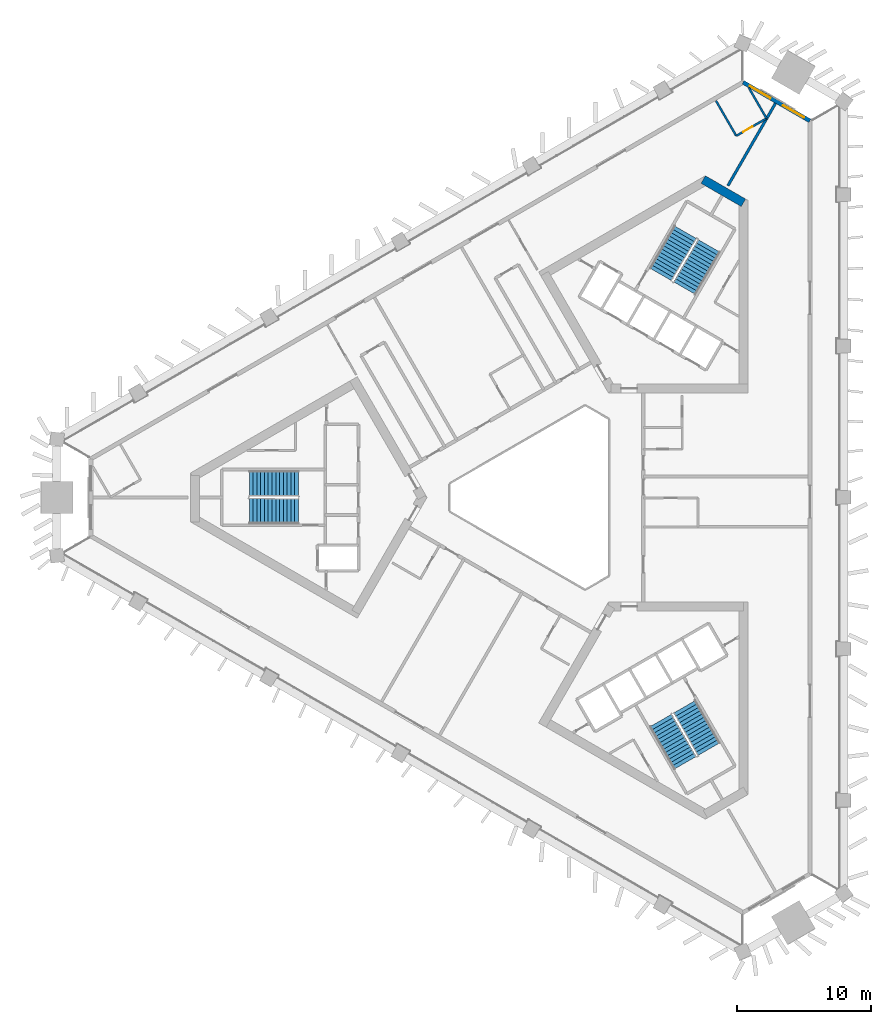
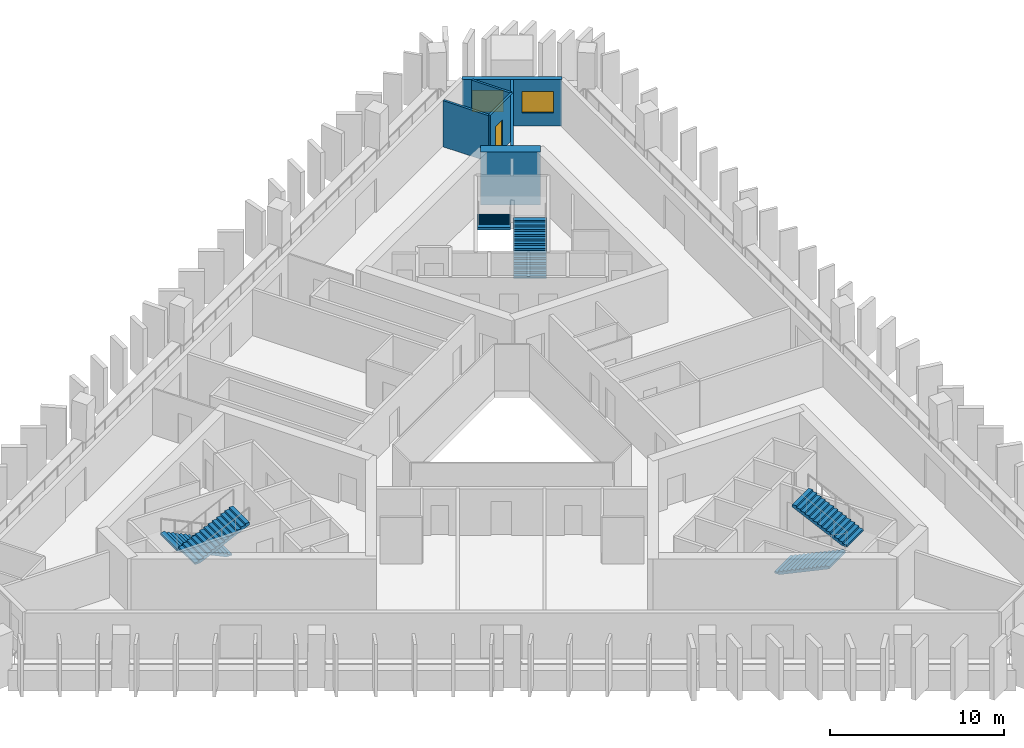
# One storey, part 6 of 9: 6 stair flights, 6 walls, 2 windows, 1 door, 3 openings, 3 elements without a shape of their own.
"""IFC4 building model written with IfcOpenShell, lengths in metres."""

import ifcopenshell
import ifcopenshell.guid

model = None  # the IFC model being written
_history = None  # IfcOwnerHistory: only IFC2X3 demands one
_inside = {}  # id of a spatial element -> (the spatial element, [elements in it])
_under = {}  # id of a project, library or spatial element -> (it, [spatial elements below it])
_declared = {}  # id of a project -> (the project, [libraries it declares])
_typed = {}  # id of a type object -> (the type object, [elements of that type])
_made_of = {}  # id of a material, layer set ... -> (it, [elements and type objects made of it])


def new_model(schema):
    """Start an empty IFC model of exactly this schema.

    Asked for "IFC4X3", IfcOpenShell would pick the latest addendum, in which some entities
    have other attributes; the version numbers below select the first issue.
    IFC2X3 requires an IfcOwnerHistory on every rooted entity: one is made here for all.
    """
    global model, _history
    if schema == "IFC4X3":
        model = ifcopenshell.file(schema_version=(4, 3, 0, 0))
    else:
        model = ifcopenshell.file(schema=schema)
    _inside.clear()
    _under.clear()
    _declared.clear()
    _typed.clear()
    _made_of.clear()
    _history = None
    if model.schema == "IFC2X3":
        org = make("IfcOrganization", Name="unknown")
        user = make(
            "IfcPersonAndOrganization",
            ThePerson=make("IfcPerson", FamilyName="unknown"),
            TheOrganization=org,
        )
        app = make(
            "IfcApplication",
            ApplicationDeveloper=org,
            Version="unknown",
            ApplicationFullName="unknown",
            ApplicationIdentifier="unknown",
        )
        _history = make(
            "IfcOwnerHistory",
            OwningUser=user,
            OwningApplication=app,
            ChangeAction="ADDED",
            CreationDate=0,
        )
    return model


def make(cls, **values):
    """One entity of the class cls with the attributes given. An attribute that is None is left unset."""
    return model.create_entity(
        cls, **{name: value for name, value in values.items() if value is not None}
    )


def rooted(cls, **values):
    """An entity with a GlobalId (a new one), such as an element, a storey or a relation."""
    return make(cls, GlobalId=ifcopenshell.guid.new(), OwnerHistory=_history, **values)


def si_unit(unit_type, name, prefix=None):
    """IfcSIUnit, for example si_unit("LENGTHUNIT", "METRE", prefix="MILLI")."""
    return make("IfcSIUnit", UnitType=unit_type, Prefix=prefix, Name=name)


def assignment(units):
    """IfcUnitAssignment: the units of a project."""
    return None if units is None else make("IfcUnitAssignment", Units=units)


def point(xyz):
    """IfcCartesianPoint."""
    return None if xyz is None else make("IfcCartesianPoint", Coordinates=xyz)


def direction(xyz):
    """IfcDirection."""
    return None if xyz is None else make("IfcDirection", DirectionRatios=xyz)


def frame(location, z_axis=None, x_axis=None):
    """IfcAxis2Placement3D, a coordinate frame: its origin and axes. An axis left out is left unset."""
    return make(
        "IfcAxis2Placement3D",
        Location=point(location),
        Axis=direction(z_axis),
        RefDirection=direction(x_axis),
    )


def frame_2d(location, x_axis=None):
    """IfcAxis2Placement2D, a coordinate frame in the plane: its origin and x axis."""
    return make(
        "IfcAxis2Placement2D", Location=point(location), RefDirection=direction(x_axis)
    )


def origin():
    """The frame at (0, 0, 0) with its axes left unset."""
    return frame((0.0, 0.0, 0.0))


def place(relative_to, where):
    """IfcLocalPlacement: puts the frame where relative to a parent placement (None: the world)."""
    return make(
        "IfcLocalPlacement", PlacementRelTo=relative_to, RelativePlacement=where
    )


def context(
    kind, dimensions, precision=None, world=None, true_north=None, identifier=None
):
    """IfcGeometricRepresentationContext, for example the 3D "Model" context."""
    return make(
        "IfcGeometricRepresentationContext",
        ContextIdentifier=identifier,
        ContextType=kind,
        CoordinateSpaceDimension=dimensions,
        Precision=precision,
        WorldCoordinateSystem=world,
        TrueNorth=true_north,
    )


def subcontext(parent, identifier, kind, view, scale=None):
    """IfcGeometricRepresentationSubContext, for example "Body" below "Model"."""
    return make(
        "IfcGeometricRepresentationSubContext",
        ContextIdentifier=identifier,
        ContextType=kind,
        ParentContext=parent,
        TargetScale=scale,
        TargetView=view,
    )


def project(units=None, contexts=None):
    """IfcProject with its units and contexts."""
    return rooted(
        "IfcProject",
        Name="project",
        RepresentationContexts=contexts,
        UnitsInContext=assignment(units),
    )


def spatial(cls, under=None, at=None, **own):
    """A site, building, storey or space (cls), placed at a placement, below another one or the project."""
    s = rooted(cls, ObjectPlacement=at, **own)
    if under is not None:
        _under.setdefault(under.id(), (under, []))[1].append(s)
    return s


def polyline(points):
    """IfcPolyline through the points."""
    return make("IfcPolyline", Points=[point(p) for p in points])


def profile(cls, at=None, kind="AREA", **sizes):
    """A parametric profile (cls). Its sizes go by their IFC names, for example OverallWidth=200.0."""
    return make(cls, ProfileType=kind, Position=at, **sizes)


def rectangle(**sizes):
    """IfcRectangleProfileDef."""
    return profile("IfcRectangleProfileDef", **sizes)


def outline(outer, holes=None, kind="AREA"):
    """IfcArbitraryClosedProfileDef: a profile drawn as a closed curve; with holes, ...WithVoids."""
    if holes is None:
        return make("IfcArbitraryClosedProfileDef", ProfileType=kind, OuterCurve=outer)
    return make(
        "IfcArbitraryProfileDefWithVoids",
        ProfileType=kind,
        OuterCurve=outer,
        InnerCurves=holes,
    )


def extrude(swept, where, along, depth):
    """IfcExtrudedAreaSolid: the profile swept, set in the frame where, extruded along a direction by depth."""
    return make(
        "IfcExtrudedAreaSolid",
        SweptArea=swept,
        Position=where,
        ExtrudedDirection=direction(along),
        Depth=depth,
    )


def shape(context_of_items, identifier, shape_type, items):
    """IfcShapeRepresentation: the items that make up one representation, for example the "Body"."""
    return make(
        "IfcShapeRepresentation",
        ContextOfItems=context_of_items,
        RepresentationIdentifier=identifier,
        RepresentationType=shape_type,
        Items=items,
    )


def material(Name=None, Category=None):
    """IfcMaterial."""
    return make("IfcMaterial", Name=Name, Category=Category)


def layer(
    of_material, thickness, ventilated=None, Name=None, Category=None, Priority=None
):
    """IfcMaterialLayer: one layer of a wall or slab, of a material (None: an air gap)."""
    return make(
        "IfcMaterialLayer",
        Material=of_material,
        LayerThickness=thickness,
        IsVentilated=ventilated,
        Name=Name,
        Category=Category,
        Priority=Priority,
    )


def layer_set(layers, Name=None):
    """IfcMaterialLayerSet."""
    return make("IfcMaterialLayerSet", MaterialLayers=layers, LayerSetName=Name)


def made_of(thing, what):
    """Note that an element or type object is made of a material, layer set ...; save() writes the relation."""
    if what is not None:
        _made_of.setdefault(what.id(), (what, []))[1].append(thing)
    return thing


def type_object(cls, material=None, **own):
    """A type object (cls), such as IfcWallType, which elements share."""
    return made_of(rooted(cls, **own), material)


def element(
    cls,
    number,
    at=None,
    inside=None,
    cuts=None,
    type_object=None,
    material=None,
    context=None,
    identifier="Body",
    shape_type=None,
    held_by="IfcProductDefinitionShape",
    body=None,
    shapes=None,
    **own,
):
    """One element of the class cls, such as IfcWall. Its Tag is "e" and its number.

    at: its placement. inside: the storey or other place that contains it. cuts: it is an
    opening in that element (IfcRelVoidsElement). A single representation is given by context,
    identifier, shape_type and body (its items); several are given by shapes. held_by: the class
    of the entity that holds the representations. save() writes the other relations.
    """
    e = rooted(cls, Tag="e%d" % number, ObjectPlacement=at, **own)
    if body is not None:
        shapes = [shape(context, identifier, shape_type, body)]
    if shapes is not None:
        e.Representation = make(held_by, Representations=shapes)
    if inside is not None:
        _inside.setdefault(inside.id(), (inside, []))[1].append(e)
    if cuts is not None:
        rooted(
            "IfcRelVoidsElement", RelatingBuildingElement=cuts, RelatedOpeningElement=e
        )
    if type_object is not None:
        _typed.setdefault(type_object.id(), (type_object, []))[1].append(e)
    return made_of(e, material)


def fill(opening, filler):
    """IfcRelFillsElement: the door or window that sits in an opening."""
    return rooted(
        "IfcRelFillsElement",
        RelatingOpeningElement=opening,
        RelatedBuildingElement=filler,
    )


def aggregate(whole, parts):
    """IfcRelAggregates: a whole, such as a stair, and the parts it consists of."""
    return rooted("IfcRelAggregates", RelatingObject=whole, RelatedObjects=parts)


def save(model, path):
    """Write the relations noted so far, then the file.

    IfcRelAggregates (storeys below a building ...), IfcRelContainedInSpatialStructure (elements
    in a storey), IfcRelDefinesByType, IfcRelAssociatesMaterial and IfcRelDeclares: one each for
    every whole, place, type object, material and project.
    """
    for whole, parts in _under.values():
        aggregate(whole, parts)
    for where, things in _inside.values():
        rooted(
            "IfcRelContainedInSpatialStructure",
            RelatedElements=things,
            RelatingStructure=where,
        )
    for kind, things in _typed.values():
        rooted("IfcRelDefinesByType", RelatedObjects=things, RelatingType=kind)
    for what, things in _made_of.values():
        rooted("IfcRelAssociatesMaterial", RelatedObjects=things, RelatingMaterial=what)
    for by, libraries in _declared.values():
        rooted("IfcRelDeclares", RelatingContext=by, RelatedDefinitions=libraries)
    model.write(path)


model = new_model("IFC4")

# Units and contexts
model_context = context("Model", 3, precision=1e-05, world=origin(), true_north=direction((0.0, 1.0)))
body_context = subcontext(model_context, "Body", "Model", "MODEL_VIEW")
ifc_project = project(units=[si_unit("LENGTHUNIT", "METRE"), si_unit("AREAUNIT", "SQUARE_METRE"), si_unit("VOLUMEUNIT", "CUBIC_METRE"), si_unit("PLANEANGLEUNIT", "RADIAN"), si_unit("MASSUNIT", "GRAM", prefix="KILO")], contexts=[model_context])

# Site, building, storey
site_placement = place(None, origin())
site = spatial("IfcSite", under=ifc_project, at=site_placement, CompositionType="ELEMENT")
building_placement = place(site_placement, origin())
building = spatial("IfcBuilding", under=site, at=building_placement, Name="Jabali Bay Hotel Tower and Convention Centre", CompositionType="ELEMENT")
storey_placement = place(building_placement, frame((0.0, 0.0, 129.0)))
storey = spatial("IfcBuildingStorey", under=building, at=storey_placement, Name="L31", CompositionType="ELEMENT", Elevation=129.0)

# Wall
ifc_material_1 = material(Name="Concrete C60", Category="concrete")
ifc_layer_1 = layer(ifc_material_1, 0.64990234375)
ifc_layer_set_1 = layer_set([ifc_layer_1], Name="Concrete C60")
wall_type_1 = type_object("IfcWallType", Name="Core wall 650", PredefinedType="SHEAR", material=ifc_layer_set_1)
wall_1_placement = place(storey_placement, frame((89.554931640625, 101.93994140625, 0.0), z_axis=(0.0, 0.0, 1.0), x_axis=(-0.866031550877, 0.499989352773, 0.0)))
element("IfcWall", 1, at=wall_1_placement, inside=storey, type_object=wall_type_1, Name="Core wall 2.3 L31", PredefinedType="SHEAR", context=body_context, shape_type="SweptSolid", body=[
    extrude(rectangle(XDim=3.45751953125, YDim=0.64990234375, at=frame_2d((1.728759765625, 0.0))), origin(), (0.0, 0.0, 1.0), 3.699951171875),
])

# Wall, openings, windows
ifc_material_2 = material(Name="Concrete C40", Category="concrete")
ifc_layer_2 = layer(ifc_material_2, 0.300048828125)
ifc_layer_set_2 = layer_set([ifc_layer_2], Name="Concrete C40")
wall_type_2 = type_object("IfcWallType", Name="External wall 300", PredefinedType="SOLIDWALL", material=ifc_layer_set_2)
wall_2_placement = place(storey_placement, frame((89.5322265625, 110.908203125, 0.0), z_axis=(0.0, 0.0, 1.0), x_axis=(0.866021903596, -0.500006062455, 0.0)))
wall_2 = element("IfcWall", 2, at=wall_2_placement, inside=storey, type_object=wall_type_2, Name="External wall north-east chamfer L31", PredefinedType="SOLIDWALL", context=body_context, shape_type="SweptSolid", body=[
    extrude(rectangle(XDim=5.73779296875, YDim=0.300048828125, at=frame_2d((2.868896484375, 0.0))), origin(), (0.0, 0.0, 1.0), 3.25),
])
opening_1_placement = place(wall_2_placement, frame((0.568359375, 0.0, 0.89990234375)))
opening_1 = element("IfcOpeningElement", 3, at=opening_1_placement, cuts=wall_2, Name="Opening W1", PredefinedType="OPENING", context=body_context, shape_type="SweptSolid", body=[
    extrude(rectangle(XDim=1.800048828125, YDim=1.5, at=frame_2d((0.89990234375, 0.75))), frame((0.0, 0.16064453125, 0.0), z_axis=(0.0, -1.0, 0.0), x_axis=(1.0, 0.0, 0.0)), (0.0, 0.0, 1.0), 0.321044921875),
])
opening_2_placement = place(wall_2_placement, frame((3.4462890625, 0.0, 0.89990234375)))
opening_2 = element("IfcOpeningElement", 4, at=opening_2_placement, cuts=wall_2, Name="Opening W1", PredefinedType="OPENING", context=body_context, shape_type="SweptSolid", body=[
    extrude(rectangle(XDim=1.800048828125, YDim=1.5, at=frame_2d((0.89990234375, 0.75))), frame((0.0, 0.16064453125, 0.0), z_axis=(0.0, -1.0, 0.0), x_axis=(1.0, 0.0, 0.0)), (0.0, 0.0, 1.0), 0.321044921875),
])
ifc_material_3 = material(Name="Glass", Category="glass")
window_type = type_object("IfcWindowType", Name="Window 1800 x 1500", PartitioningType="SINGLE_PANEL", PredefinedType="WINDOW", material=ifc_material_3)
window_1_placement = place(opening_1_placement, origin())
window_1 = element("IfcWindow", 5, at=window_1_placement, inside=storey, type_object=window_type, Name="Window 3104", OverallHeight=1.5, OverallWidth=1.800048828125, PartitioningType="SINGLE_PANEL", PredefinedType="WINDOW", context=body_context, shape_type="SweptSolid", body=[
    extrude(rectangle(XDim=1.800048828125, YDim=1.5, at=frame_2d((0.89990234375, 0.75))), frame((0.0, 0.030029296875, 0.0), z_axis=(0.0, -1.0, 0.0), x_axis=(1.0, 0.0, 0.0)), (0.0, 0.0, 1.0), 0.06005859375),
])
fill(opening_1, window_1)
window_2_placement = place(opening_2_placement, origin())
window_2 = element("IfcWindow", 6, at=window_2_placement, inside=storey, type_object=window_type, Name="Window 3103", OverallHeight=1.5, OverallWidth=1.800048828125, PartitioningType="SINGLE_PANEL", PredefinedType="WINDOW", context=body_context, shape_type="SweptSolid", body=[
    extrude(rectangle(XDim=1.800048828125, YDim=1.5, at=frame_2d((0.89990234375, 0.75))), frame((0.0, 0.030029296875, 0.0), z_axis=(0.0, -1.0, 0.0), x_axis=(1.0, 0.0, 0.0)), (0.0, 0.0, 1.0), 0.06005859375),
])
fill(opening_2, window_2)

# Wall
ifc_material_4 = material(Name="Plasterboard on steel stud", Category="steel")
ifc_layer_3 = layer(ifc_material_4, 0.14990234375)
ifc_layer_set_3 = layer_set([ifc_layer_3], Name="Plasterboard on steel stud")
wall_type_3 = type_object("IfcWallType", Name="Partition 150 wet", PredefinedType="PARTITIONING", material=ifc_layer_set_3)
wall_3_placement = place(storey_placement, frame((89.9658203125, 110.48583984375, 0.0), z_axis=(0.0, 0.0, 1.0), x_axis=(0.500032006216, -0.866006924198, 0.0)))
element("IfcWall", 7, at=wall_3_placement, inside=storey, type_object=wall_type_3, Name="Partition P03 L31 017", PredefinedType="PARTITIONING", context=body_context, shape_type="SweptSolid", body=[
    extrude(rectangle(XDim=2.616943359375, YDim=0.14990234375, at=frame_2d((1.30859375, 0.0))), origin(), (0.0, 0.0, 1.0), 3.25),
])

# Wall, opening, door
wall_4_placement = place(storey_placement, frame((91.2744140625, 108.219482421875, 0.0), z_axis=(0.0, 0.0, 1.0), x_axis=(-0.866021400173, -0.500006934395, 0.0)))
wall_4 = element("IfcWall", 8, at=wall_4_placement, inside=storey, type_object=wall_type_3, Name="Partition P03 L31 018", PredefinedType="PARTITIONING", context=body_context, shape_type="SweptSolid", body=[
    extrude(rectangle(XDim=2.60009765625, YDim=0.14990234375, at=frame_2d((1.300048828125, 0.0))), origin(), (0.0, 0.0, 1.0), 3.25),
])
opening_3_placement = place(wall_4_placement, frame((1.199951171875, 0.0, 0.0)))
opening_3 = element("IfcOpeningElement", 9, at=opening_3_placement, cuts=wall_4, Name="Opening 3109", PredefinedType="OPENING", context=body_context, shape_type="SweptSolid", body=[
    extrude(rectangle(XDim=0.800048828125, YDim=2.10009765625, at=frame_2d((0.39990234375, 1.050048828125))), frame((0.0, 0.08544921875, 0.0), z_axis=(0.0, -1.0, 0.0), x_axis=(1.0, 0.0, 0.0)), (0.0, 0.0, 1.0), 0.1708984375),
])
ifc_material_5 = material(Name="Timber", Category="wood")
door_type = type_object("IfcDoorType", Name="En-suite door 800 x 2100", OperationType="NOTDEFINED", PredefinedType="NOTDEFINED", material=ifc_material_5)
door_placement = place(opening_3_placement, origin())
door = element("IfcDoor", 10, at=door_placement, inside=storey, type_object=door_type, Name="Door 3109", OperationType="SINGLE_SWING_RIGHT", OverallHeight=2.10009765625, OverallWidth=0.800048828125, PredefinedType="NOTDEFINED", context=body_context, shape_type="SweptSolid", body=[
    extrude(rectangle(XDim=0.800048828125, YDim=2.10009765625, at=frame_2d((0.39990234375, 1.050048828125))), frame((0.0, 0.02490234375, 0.0), z_axis=(0.0, -1.0, 0.0), x_axis=(1.0, 0.0, 0.0)), (0.0, 0.0, 1.0), 0.050048828125),
])
fill(opening_3, door)

# Walls
wall_5_placement = place(storey_placement, frame((89.022705078125, 106.91943359375, 0.0), z_axis=(0.0, 0.0, 1.0), x_axis=(-0.500012686397, 0.866018079166, 0.0)))
element("IfcWall", 11, at=wall_5_placement, inside=storey, type_object=wall_type_3, Name="Partition P03 L31 019", PredefinedType="PARTITIONING", context=body_context, shape_type="SweptSolid", body=[
    extrude(rectangle(XDim=3.009765625, YDim=0.14990234375, at=frame_2d((1.5048828125, 0.0))), origin(), (0.0, 0.0, 1.0), 3.25),
])
ifc_layer_4 = layer(ifc_material_4, 0.199951171875)
ifc_layer_set_4 = layer_set([ifc_layer_4], Name="Plasterboard on steel stud")
wall_type_4 = type_object("IfcWallType", Name="Partition 200 party", PredefinedType="PARTITIONING", material=ifc_layer_set_4)
wall_6_placement = place(storey_placement, frame((91.942138671875, 109.3447265625, 0.0), z_axis=(0.0, 0.0, 1.0), x_axis=(-0.499980071345, -0.866036909293, 0.0)))
element("IfcWall", 12, at=wall_6_placement, inside=storey, type_object=wall_type_4, Name="Partition P01 L31 010", PredefinedType="PARTITIONING", context=body_context, shape_type="SweptSolid", body=[
    extrude(rectangle(XDim=7.082275390625, YDim=0.199951171875, at=frame_2d((3.541015625, 0.0))), origin(), (0.0, 0.0, 1.0), 3.25),
])

# Stair, stair flights
stair_type = type_object("IfcStairType", Name="Exit stair 1900", PredefinedType="HALF_TURN_STAIR", material=ifc_material_2)
stair_1_placement = place(storey_placement, origin())
stair_1 = element("IfcStair", 13, at=stair_1_placement, inside=storey, type_object=stair_type, Name="L31 Exit Stair 1", PredefinedType="HALF_TURN_STAIR")
stair_flight_type = type_object("IfcStairFlightType", Name="Stair flight concrete 150", PredefinedType="STRAIGHT", material=ifc_material_2)
stair_flight_1_placement = place(storey_placement, frame((56.419921875, 81.02490234375, 0.0), z_axis=(0.0, 0.0, 1.0), x_axis=(-1.0, 0.0, 0.0)))
stair_flight_1 = element("IfcStairFlight", 14, at=stair_flight_1_placement, type_object=stair_flight_type, Name="ST1 flight 1", NumberOfRisers=14, NumberOfTreads=13, PredefinedType="STRAIGHT", RiserHeight=0.132142857, TreadLength=0.28, context=body_context, shape_type="SweptSolid", body=[
    extrude(outline(polyline([(0.0, 0.0), (0.0, 0.132080078125), (0.280029296875, 0.132080078125), (0.280029296875, 0.264404296875), (0.56005859375, 0.264404296875), (0.56005859375, 0.396484375), (0.840087890625, 0.396484375), (0.840087890625, 0.528564453125), (1.1201171875, 0.528564453125), (1.1201171875, 0.66064453125), (1.39990234375, 0.66064453125), (1.39990234375, 0.79296875), (1.679931640625, 0.79296875), (1.679931640625, 0.925048828125), (1.9599609375, 0.925048828125), (1.9599609375, 1.05712890625), (2.239990234375, 1.05712890625), (2.239990234375, 1.189208984375), (2.52001953125, 1.189208984375), (2.52001953125, 1.321533203125), (2.800048828125, 1.321533203125), (2.800048828125, 1.45361328125), (3.080078125, 1.45361328125), (3.080078125, 1.585693359375), (3.360107421875, 1.585693359375), (3.360107421875, 1.7177734375), (3.639892578125, 1.7177734375), (3.639892578125, 1.85009765625), (3.639892578125, 1.552001953125), (0.351318359375, 0.0), (0.0, 0.0)])), frame((0.0, 0.949951171875, 0.0), z_axis=(0.0, -1.0, 0.0), x_axis=(1.0, 0.0, 0.0)), (0.0, 0.0, 1.0), 1.89990234375),
])
stair_flight_2_placement = place(storey_placement, frame((52.780029296875, 78.97509765625, 1.85009765625), z_axis=(0.0, 0.0, 1.0), x_axis=(1.0, 0.0, 0.0)))
stair_flight_2 = element("IfcStairFlight", 15, at=stair_flight_2_placement, type_object=stair_flight_type, Name="ST1 flight 2", NumberOfRisers=14, NumberOfTreads=13, PredefinedType="STRAIGHT", RiserHeight=0.132142857, TreadLength=0.28, context=body_context, shape_type="SweptSolid", body=[
    extrude(outline(polyline([(0.0, 0.0), (0.0, 0.132080078125), (0.280029296875, 0.132080078125), (0.280029296875, 0.264404296875), (0.56005859375, 0.264404296875), (0.56005859375, 0.396484375), (0.840087890625, 0.396484375), (0.840087890625, 0.528564453125), (1.1201171875, 0.528564453125), (1.1201171875, 0.66064453125), (1.39990234375, 0.66064453125), (1.39990234375, 0.79296875), (1.679931640625, 0.79296875), (1.679931640625, 0.925048828125), (1.9599609375, 0.925048828125), (1.9599609375, 1.05712890625), (2.239990234375, 1.05712890625), (2.239990234375, 1.189208984375), (2.52001953125, 1.189208984375), (2.52001953125, 1.321533203125), (2.800048828125, 1.321533203125), (2.800048828125, 1.45361328125), (3.080078125, 1.45361328125), (3.080078125, 1.585693359375), (3.360107421875, 1.585693359375), (3.360107421875, 1.7177734375), (3.639892578125, 1.7177734375), (3.639892578125, 1.85009765625), (3.639892578125, 1.552001953125), (0.351318359375, 0.0), (0.0, 0.0)])), frame((0.0, 0.949951171875, 0.0), z_axis=(0.0, -1.0, 0.0), x_axis=(1.0, 0.0, 0.0)), (0.0, 0.0, 1.0), 1.89990234375),
])
aggregate(stair_1, [stair_flight_1, stair_flight_2])

stair_2_placement = place(storey_placement, origin())
stair_2 = element("IfcStair", 16, at=stair_2_placement, inside=storey, type_object=stair_type, Name="L31 Exit Stair 2", PredefinedType="HALF_TURN_STAIR")
stair_flight_3_placement = place(storey_placement, frame((85.177734375, 95.578369140625, 0.0), z_axis=(0.0, 0.0, 1.0), x_axis=(0.5, 0.866025403784, 0.0)))
stair_flight_3 = element("IfcStairFlight", 17, at=stair_flight_3_placement, type_object=stair_flight_type, Name="ST2 flight 1", NumberOfRisers=14, NumberOfTreads=13, PredefinedType="STRAIGHT", RiserHeight=0.132142857, TreadLength=0.28, context=body_context, shape_type="SweptSolid", body=[
    extrude(outline(polyline([(0.0, 0.0), (0.0, 0.132080078125), (0.280029296875, 0.132080078125), (0.280029296875, 0.264404296875), (0.56005859375, 0.264404296875), (0.56005859375, 0.396484375), (0.840087890625, 0.396484375), (0.840087890625, 0.528564453125), (1.1201171875, 0.528564453125), (1.1201171875, 0.66064453125), (1.39990234375, 0.66064453125), (1.39990234375, 0.79296875), (1.679931640625, 0.79296875), (1.679931640625, 0.925048828125), (1.9599609375, 0.925048828125), (1.9599609375, 1.05712890625), (2.239990234375, 1.05712890625), (2.239990234375, 1.189208984375), (2.52001953125, 1.189208984375), (2.52001953125, 1.321533203125), (2.800048828125, 1.321533203125), (2.800048828125, 1.45361328125), (3.080078125, 1.45361328125), (3.080078125, 1.585693359375), (3.360107421875, 1.585693359375), (3.360107421875, 1.7177734375), (3.639892578125, 1.7177734375), (3.639892578125, 1.85009765625), (3.639892578125, 1.552001953125), (0.351318359375, 0.0), (0.0, 0.0)])), frame((0.0, 0.949951171875, 0.0), z_axis=(0.0, -1.0, 0.0), x_axis=(1.0, 0.0, 0.0)), (0.0, 0.0, 1.0), 1.89990234375),
])
stair_flight_4_placement = place(storey_placement, frame((85.222412109375, 99.755615234375, 1.85009765625), z_axis=(0.0, 0.0, 1.0), x_axis=(-0.5, -0.866025403784, 0.0)))
stair_flight_4 = element("IfcStairFlight", 18, at=stair_flight_4_placement, type_object=stair_flight_type, Name="ST2 flight 2", NumberOfRisers=14, NumberOfTreads=13, PredefinedType="STRAIGHT", RiserHeight=0.132142857, TreadLength=0.28, context=body_context, shape_type="SweptSolid", body=[
    extrude(outline(polyline([(0.0, 0.0), (0.0, 0.132080078125), (0.280029296875, 0.132080078125), (0.280029296875, 0.264404296875), (0.56005859375, 0.264404296875), (0.56005859375, 0.396484375), (0.840087890625, 0.396484375), (0.840087890625, 0.528564453125), (1.1201171875, 0.528564453125), (1.1201171875, 0.66064453125), (1.39990234375, 0.66064453125), (1.39990234375, 0.79296875), (1.679931640625, 0.79296875), (1.679931640625, 0.925048828125), (1.9599609375, 0.925048828125), (1.9599609375, 1.05712890625), (2.239990234375, 1.05712890625), (2.239990234375, 1.189208984375), (2.52001953125, 1.189208984375), (2.52001953125, 1.321533203125), (2.800048828125, 1.321533203125), (2.800048828125, 1.45361328125), (3.080078125, 1.45361328125), (3.080078125, 1.585693359375), (3.360107421875, 1.585693359375), (3.360107421875, 1.7177734375), (3.639892578125, 1.7177734375), (3.639892578125, 1.85009765625), (3.639892578125, 1.552001953125), (0.351318359375, 0.0), (0.0, 0.0)])), frame((0.0, 0.949951171875, 0.0), z_axis=(0.0, -1.0, 0.0), x_axis=(1.0, 0.0, 0.0)), (0.0, 0.0, 1.0), 1.89990234375),
])
aggregate(stair_2, [stair_flight_3, stair_flight_4])

stair_3_placement = place(storey_placement, origin())
stair_3 = element("IfcStair", 19, at=stair_3_placement, inside=storey, type_object=stair_type, Name="L31 Exit Stair 3", PredefinedType="HALF_TURN_STAIR")
stair_flight_5_placement = place(storey_placement, frame((83.40234375, 63.396728515625, 0.0), z_axis=(0.0, 0.0, 1.0), x_axis=(0.5, -0.866025403784, 0.0)))
stair_flight_5 = element("IfcStairFlight", 20, at=stair_flight_5_placement, type_object=stair_flight_type, Name="ST3 flight 1", NumberOfRisers=14, NumberOfTreads=13, PredefinedType="STRAIGHT", RiserHeight=0.132142857, TreadLength=0.28, context=body_context, shape_type="SweptSolid", body=[
    extrude(outline(polyline([(0.0, 0.0), (0.0, 0.132080078125), (0.280029296875, 0.132080078125), (0.280029296875, 0.264404296875), (0.56005859375, 0.264404296875), (0.56005859375, 0.396484375), (0.840087890625, 0.396484375), (0.840087890625, 0.528564453125), (1.1201171875, 0.528564453125), (1.1201171875, 0.66064453125), (1.39990234375, 0.66064453125), (1.39990234375, 0.79296875), (1.679931640625, 0.79296875), (1.679931640625, 0.925048828125), (1.9599609375, 0.925048828125), (1.9599609375, 1.05712890625), (2.239990234375, 1.05712890625), (2.239990234375, 1.189208984375), (2.52001953125, 1.189208984375), (2.52001953125, 1.321533203125), (2.800048828125, 1.321533203125), (2.800048828125, 1.45361328125), (3.080078125, 1.45361328125), (3.080078125, 1.585693359375), (3.360107421875, 1.585693359375), (3.360107421875, 1.7177734375), (3.639892578125, 1.7177734375), (3.639892578125, 1.85009765625), (3.639892578125, 1.552001953125), (0.351318359375, 0.0), (0.0, 0.0)])), frame((0.0, 0.949951171875, 0.0), z_axis=(0.0, -1.0, 0.0), x_axis=(1.0, 0.0, 0.0)), (0.0, 0.0, 1.0), 1.89990234375),
])
stair_flight_6_placement = place(storey_placement, frame((86.99755859375, 61.26953125, 1.85009765625), z_axis=(0.0, 0.0, 1.0), x_axis=(-0.5, 0.866025403784, 0.0)))
stair_flight_6 = element("IfcStairFlight", 21, at=stair_flight_6_placement, type_object=stair_flight_type, Name="ST3 flight 2", NumberOfRisers=14, NumberOfTreads=13, PredefinedType="STRAIGHT", RiserHeight=0.132142857, TreadLength=0.28, context=body_context, shape_type="SweptSolid", body=[
    extrude(outline(polyline([(0.0, 0.0), (0.0, 0.132080078125), (0.280029296875, 0.132080078125), (0.280029296875, 0.264404296875), (0.56005859375, 0.264404296875), (0.56005859375, 0.396484375), (0.840087890625, 0.396484375), (0.840087890625, 0.528564453125), (1.1201171875, 0.528564453125), (1.1201171875, 0.66064453125), (1.39990234375, 0.66064453125), (1.39990234375, 0.79296875), (1.679931640625, 0.79296875), (1.679931640625, 0.925048828125), (1.9599609375, 0.925048828125), (1.9599609375, 1.05712890625), (2.239990234375, 1.05712890625), (2.239990234375, 1.189208984375), (2.52001953125, 1.189208984375), (2.52001953125, 1.321533203125), (2.800048828125, 1.321533203125), (2.800048828125, 1.45361328125), (3.080078125, 1.45361328125), (3.080078125, 1.585693359375), (3.360107421875, 1.585693359375), (3.360107421875, 1.7177734375), (3.639892578125, 1.7177734375), (3.639892578125, 1.85009765625), (3.639892578125, 1.552001953125), (0.351318359375, 0.0), (0.0, 0.0)])), frame((0.0, 0.949951171875, 0.0), z_axis=(0.0, -1.0, 0.0), x_axis=(1.0, 0.0, 0.0)), (0.0, 0.0, 1.0), 1.89990234375),
])
aggregate(stair_3, [stair_flight_5, stair_flight_6])

save(model, "model.ifc")
